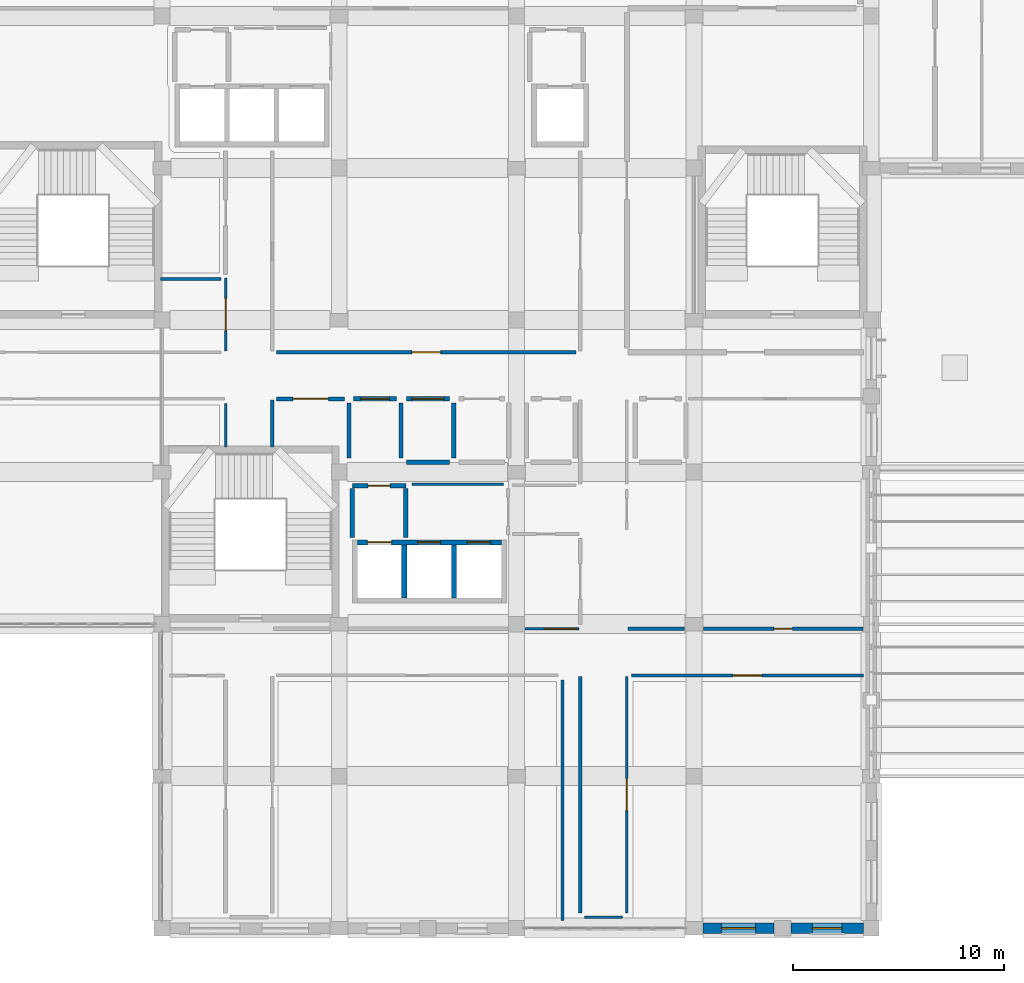
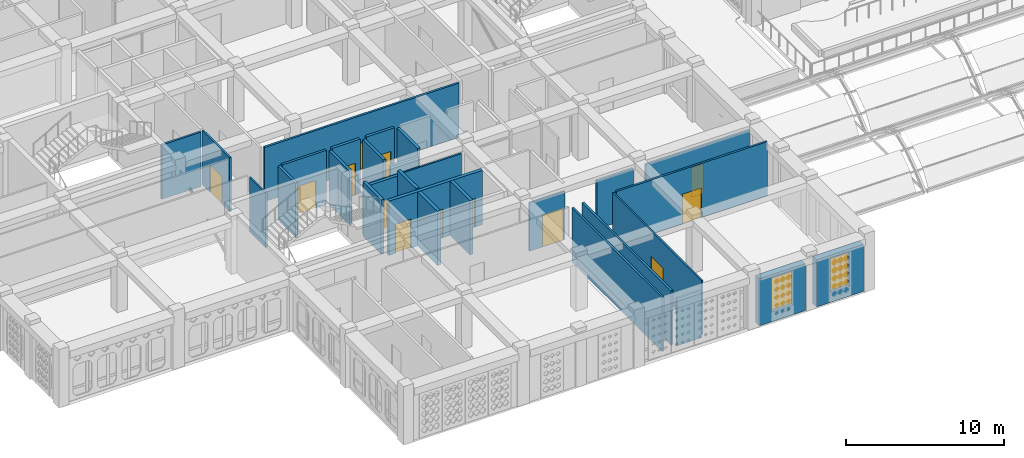
# One storey, part 53 of 100: 29 walls, 13 doors, 2 windows, 15 openings.
"""IFC4 building model written with IfcOpenShell, lengths in metres."""

from ifc_helpers import new_model, si_unit, derived_unit, direction, frame, frame_2d, origin, place, context, subcontext, project, spatial, rectangle, extrude, material, layer, layer_set, type_object, element, fill, save


model = new_model("IFC4")

# Units and contexts
model_context = context("Model", 3, precision=1e-05, world=origin(), true_north=direction((0.0, 1.0)))
body_context = subcontext(model_context, "Body", "Model", "MODEL_VIEW")
ifc_project = project(units=[si_unit("LENGTHUNIT", "METRE"), si_unit("AREAUNIT", "SQUARE_METRE"), si_unit("VOLUMEUNIT", "CUBIC_METRE"), si_unit("PLANEANGLEUNIT", "RADIAN"), si_unit("MASSUNIT", "GRAM", prefix="KILO"), derived_unit("THERMALTRANSMITTANCEUNIT", [(si_unit("POWERUNIT", "WATT"), 1), (si_unit("LENGTHUNIT", "METRE"), -2), (si_unit("THERMODYNAMICTEMPERATUREUNIT", "KELVIN"), -1)])], contexts=[model_context])

# Site, building, storey
site_placement = place(None, origin())
site = spatial("IfcSite", under=ifc_project, at=site_placement, CompositionType="ELEMENT")
building_placement = place(site_placement, origin())
building = spatial("IfcBuilding", under=site, at=building_placement, Name="Veybourne Emporium", CompositionType="ELEMENT")
storey_placement = place(building_placement, frame((0.0, 0.0, 14.39990234375)))
storey = spatial("IfcBuildingStorey", under=building, at=storey_placement, Name="L03", CompositionType="ELEMENT", Elevation=14.39990234375)

# Wall, opening, window
ifc_material_1 = material(Name="Portland Limestone Ashlar", Category="masonry")
ifc_layer_1 = layer(ifc_material_1, 0.47998046875)
ifc_layer_set_1 = layer_set([ifc_layer_1], Name="Portland Limestone Ashlar")
wall_type_1 = type_object("IfcWallType", Name="ExtWall_EW-01", PredefinedType="SOLIDWALL", material=ifc_layer_set_1)
wall_1_placement = place(storey_placement, frame((50.02490234375, 0.0, 0.0), z_axis=(0.0, 0.0, 1.0), x_axis=(-1.0, 0.0, 0.0)))
wall_1 = element("IfcWall", 1, at=wall_1_placement, inside=storey, type_object=wall_type_1, Name="L03 Portland stone external wall 025A", PredefinedType="SOLIDWALL", context=body_context, shape_type="SweptSolid", body=[
    extrude(rectangle(XDim=3.4248046875, YDim=0.47998046875, at=frame_2d((1.71240234375, 0.0))), origin(), (0.0, 0.0, 1.0), 3.630126953125),
])
opening_1_placement = place(wall_1_placement, frame((1.012451171875, 0.0, 0.75)))
opening_1 = element("IfcOpeningElement", 2, at=opening_1_placement, cuts=wall_1, Name="Opening W-34", PredefinedType="OPENING", context=body_context, shape_type="SweptSolid", body=[
    extrude(rectangle(XDim=1.39990234375, YDim=2.6201171875, at=frame_2d((0.699951171875, 1.31005859375))), frame((0.0, 0.260009765625, 0.0), z_axis=(0.0, -1.0, 0.0), x_axis=(1.0, 0.0, 0.0)), (0.0, 0.0, 1.0), 0.52001953125),
])
ifc_material_2 = material(Name="Low-E Triple Glazing", Category="glass")
window_type_1 = type_object("IfcWindowType", Name="Win_W-34", PartitioningType="DOUBLE_PANEL_VERTICAL", PredefinedType="WINDOW", material=ifc_material_2)
window_1_placement = place(opening_1_placement, origin())
window_1 = element("IfcWindow", 3, at=window_1_placement, inside=storey, type_object=window_type_1, Name="L03 tripartite bronze casement window W-34 (25A)", OverallHeight=2.6201171875, OverallWidth=1.39990234375, PartitioningType="DOUBLE_PANEL_VERTICAL", PredefinedType="WINDOW", context=body_context, shape_type="SweptSolid", body=[
    extrude(rectangle(XDim=1.39990234375, YDim=2.6201171875, at=frame_2d((0.699951171875, 1.31005859375))), frame((0.0, 0.030029296875, 0.0), z_axis=(0.0, -1.0, 0.0), x_axis=(1.0, 0.0, 0.0)), (0.0, 0.0, 1.0), 0.06005859375),
])
fill(opening_1, window_1)

wall_2_placement = place(storey_placement, frame((45.800048828125, 0.0, 0.0), z_axis=(0.0, 0.0, 1.0), x_axis=(-1.0, 0.0, 0.0)))
wall_2 = element("IfcWall", 4, at=wall_2_placement, inside=storey, type_object=wall_type_1, Name="L03 Portland stone external wall 025B", PredefinedType="SOLIDWALL", context=body_context, shape_type="SweptSolid", body=[
    extrude(rectangle(XDim=3.375, YDim=0.47998046875, at=frame_2d((1.6875, 0.0))), origin(), (0.0, 0.0, 1.0), 3.630126953125),
])
opening_2_placement = place(wall_2_placement, frame((0.887451171875, 0.0, 0.75)))
opening_2 = element("IfcOpeningElement", 5, at=opening_2_placement, cuts=wall_2, Name="Opening W-35", PredefinedType="OPENING", context=body_context, shape_type="SweptSolid", body=[
    extrude(rectangle(XDim=1.60009765625, YDim=2.6201171875, at=frame_2d((0.800048828125, 1.31005859375))), frame((0.0, 0.260009765625, 0.0), z_axis=(0.0, -1.0, 0.0), x_axis=(1.0, 0.0, 0.0)), (0.0, 0.0, 1.0), 0.52001953125),
])
window_type_2 = type_object("IfcWindowType", Name="Win_W-35", PartitioningType="DOUBLE_PANEL_VERTICAL", PredefinedType="WINDOW", material=ifc_material_2)
window_2_placement = place(opening_2_placement, origin())
window_2 = element("IfcWindow", 6, at=window_2_placement, inside=storey, type_object=window_type_2, Name="L03 tripartite bronze casement window W-35 (25B)", OverallHeight=2.6201171875, OverallWidth=1.60009765625, PartitioningType="DOUBLE_PANEL_VERTICAL", PredefinedType="WINDOW", context=body_context, shape_type="SweptSolid", body=[
    extrude(rectangle(XDim=1.60009765625, YDim=2.6201171875, at=frame_2d((0.800048828125, 1.31005859375))), frame((0.0, 0.030029296875, 0.0), z_axis=(0.0, -1.0, 0.0), x_axis=(1.0, 0.0, 0.0)), (0.0, 0.0, 1.0), 0.06005859375),
])
fill(opening_2, window_2)

# Wall, openings, doors
ifc_material_3 = material(Name="Concrete C40/50", Category="concrete")
ifc_layer_2 = layer(ifc_material_3, 0.239990234375)
ifc_layer_set_2 = layer_set([ifc_layer_2], Name="Concrete C40/50")
wall_type_2 = type_object("IfcWallType", Name="IntWall_CW-04", PredefinedType="SHEAR", material=ifc_layer_set_2)
wall_3_placement = place(storey_placement, frame((32.8798828125, 18.27001953125, 0.0), z_axis=(0.0, 0.0, 1.0), x_axis=(-1.0, 0.0, 0.0)))
wall_3 = element("IfcWall", 7, at=wall_3_placement, inside=storey, type_object=wall_type_2, Name="Lift core C1 north shaft wall (L03)", PredefinedType="SHEAR", context=body_context, shape_type="SweptSolid", body=[
    extrude(rectangle(XDim=6.81982421875, YDim=0.239990234375, at=frame_2d((3.409912109375, 0.0))), origin(), (0.0, 0.0, 1.0), 4.18017578125),
])
opening_3_placement = place(wall_3_placement, frame((5.195068359375, 0.0, 0.0)))
opening_3 = element("IfcOpeningElement", 8, at=opening_3_placement, cuts=wall_3, Name="Opening LD-02", PredefinedType="OPENING", context=body_context, shape_type="SweptSolid", body=[
    extrude(rectangle(XDim=1.14990234375, YDim=2.25, at=frame_2d((0.574951171875, 1.125))), frame((0.0, 0.14013671875, 0.0), z_axis=(0.0, -1.0, 0.0), x_axis=(1.0, 0.0, 0.0)), (0.0, 0.0, 1.0), 0.280029296875),
])
opening_4_placement = place(wall_3_placement, frame((2.8701171875, 0.0, 0.0)))
opening_4 = element("IfcOpeningElement", 9, at=opening_4_placement, cuts=wall_3, Name="Opening LD-01", PredefinedType="OPENING", context=body_context, shape_type="SweptSolid", body=[
    extrude(rectangle(XDim=1.10009765625, YDim=2.199951171875, at=frame_2d((0.550048828125, 1.10009765625))), frame((0.0, 0.14013671875, 0.0), z_axis=(0.0, -1.0, 0.0), x_axis=(1.0, 0.0, 0.0)), (0.0, 0.0, 1.0), 0.280029296875),
])
opening_5_placement = place(wall_3_placement, frame((0.510009765625, 0.0, 0.0)))
opening_5 = element("IfcOpeningElement", 10, at=opening_5_placement, cuts=wall_3, Name="Opening LD-01", PredefinedType="OPENING", context=body_context, shape_type="SweptSolid", body=[
    extrude(rectangle(XDim=1.10009765625, YDim=2.199951171875, at=frame_2d((0.550048828125, 1.10009765625))), frame((0.0, 0.14013671875, 0.0), z_axis=(0.0, -1.0, 0.0), x_axis=(1.0, 0.0, 0.0)), (0.0, 0.0, 1.0), 0.280029296875),
])
ifc_material_4 = material(Name="Patinated Architectural Bronze", Category="bronze")
door_type_1 = type_object("IfcDoorType", Name="FireDoor_LD-01", OperationType="DOUBLE_DOOR_SLIDING", PredefinedType="DOOR", material=ifc_material_4)
door_1_placement = place(opening_4_placement, origin())
door_1 = element("IfcDoor", 11, at=door_1_placement, inside=storey, type_object=door_type_1, Name="Lift PL-01 sliding landing door (L03)", OperationType="DOUBLE_DOOR_SLIDING", OverallHeight=2.199951171875, OverallWidth=1.10009765625, PredefinedType="DOOR", context=body_context, shape_type="SweptSolid", body=[
    extrude(rectangle(XDim=1.10009765625, YDim=2.199951171875, at=frame_2d((0.550048828125, 1.10009765625))), frame((0.0, 0.02490234375, 0.0), z_axis=(0.0, -1.0, 0.0), x_axis=(1.0, 0.0, 0.0)), (0.0, 0.0, 1.0), 0.050048828125),
])
fill(opening_4, door_1)
door_2_placement = place(opening_5_placement, origin())
door_2 = element("IfcDoor", 12, at=door_2_placement, inside=storey, type_object=door_type_1, Name="Lift PL-02 sliding landing door (L03)", OperationType="DOUBLE_DOOR_SLIDING", OverallHeight=2.199951171875, OverallWidth=1.10009765625, PredefinedType="DOOR", context=body_context, shape_type="SweptSolid", body=[
    extrude(rectangle(XDim=1.10009765625, YDim=2.199951171875, at=frame_2d((0.550048828125, 1.10009765625))), frame((0.0, 0.02490234375, 0.0), z_axis=(0.0, -1.0, 0.0), x_axis=(1.0, 0.0, 0.0)), (0.0, 0.0, 1.0), 0.050048828125),
])
fill(opening_5, door_2)
door_type_2 = type_object("IfcDoorType", Name="FireDoor_LD-02", OperationType="SLIDING_TO_LEFT", PredefinedType="DOOR", material=ifc_material_4)
door_3_placement = place(opening_3_placement, origin())
door_3 = element("IfcDoor", 13, at=door_3_placement, inside=storey, type_object=door_type_2, Name="Lift FFL-01 sliding landing door (L03)", OperationType="SLIDING_TO_LEFT", OverallHeight=2.25, OverallWidth=1.14990234375, PredefinedType="DOOR", context=body_context, shape_type="SweptSolid", body=[
    extrude(rectangle(XDim=1.14990234375, YDim=2.25, at=frame_2d((0.574951171875, 1.125))), frame((0.0, 0.02490234375, 0.0), z_axis=(0.0, -1.0, 0.0), x_axis=(1.0, 0.0, 0.0)), (0.0, 0.0, 1.0), 0.050048828125),
])
fill(opening_3, door_3)

# Walls
for number, where, z_axis, x_axis, name in (
    (14, (28.280029296875, 15.64990234375, 0.0), (0.0, 0.0, 1.0), (0.0, 1.0, 0.0), "Lift core C1 divider wall 1 (L03)"),
    (15, (30.639892578125, 15.64990234375, 0.0), (0.0, 0.0, 1.0), (0.0, 1.0, 0.0), "Lift core C1 divider wall 2 (L03)"),
):
    element("IfcWall", number, at=place(storey_placement, frame(where, z_axis=z_axis, x_axis=x_axis)), inside=storey, type_object=wall_type_2, Name=name, PredefinedType="SHEAR", context=body_context, shape_type="SweptSolid", body=[
        extrude(rectangle(XDim=2.5, YDim=0.239990234375, at=frame_2d((1.25, 0.0))), origin(), (0.0, 0.0, 1.0), 4.18017578125),
    ])

# Wall, opening, door
ifc_material_5 = material(Name="Concrete C32/40", Category="concrete")
ifc_layer_3 = layer(ifc_material_5, 0.219970703125)
ifc_layer_set_3 = layer_set([ifc_layer_3], Name="Concrete C32/40")
wall_type_3 = type_object("IfcWallType", Name="IntWall_FW-02", PredefinedType="SOLIDWALL", material=ifc_layer_set_3)
wall_4_placement = place(storey_placement, frame((25.820068359375, 20.949951171875, 0.0), z_axis=(0.0, 0.0, 1.0), x_axis=(1.0, 0.0, 0.0)))
wall_4 = element("IfcWall", 16, at=wall_4_placement, inside=storey, type_object=wall_type_3, Name="Firefighting lobby C1 fire wall N (L03)", PredefinedType="SOLIDWALL", context=body_context, shape_type="SweptSolid", body=[
    extrude(rectangle(XDim=2.5400390625, YDim=0.219970703125, at=frame_2d((1.27001953125, 0.0))), origin(), (0.0, 0.0, 1.0), 3.72998046875),
])
opening_6_placement = place(wall_4_placement, frame((0.7451171875, 0.0, 0.0)))
opening_6 = element("IfcOpeningElement", 17, at=opening_6_placement, cuts=wall_4, Name="Opening FD-02", PredefinedType="OPENING", context=body_context, shape_type="SweptSolid", body=[
    extrude(rectangle(XDim=1.050048828125, YDim=2.14990234375, at=frame_2d((0.52490234375, 1.074951171875))), frame((0.0, 0.1298828125, 0.0), z_axis=(0.0, -1.0, 0.0), x_axis=(1.0, 0.0, 0.0)), (0.0, 0.0, 1.0), 0.260009765625),
])
door_type_3 = type_object("IfcDoorType", Name="FireDoor_FD-02", OperationType="NOTDEFINED", PredefinedType="DOOR", material=ifc_material_4)
door_4_placement = place(opening_6_placement, origin())
door_4 = element("IfcDoor", 18, at=door_4_placement, inside=storey, type_object=door_type_3, Name="Firefighting lobby C1 FD60S door N (L03)", OperationType="SINGLE_SWING_LEFT", OverallHeight=2.14990234375, OverallWidth=1.050048828125, PredefinedType="DOOR", context=body_context, shape_type="SweptSolid", body=[
    extrude(rectangle(XDim=1.050048828125, YDim=2.14990234375, at=frame_2d((0.52490234375, 1.074951171875))), frame((0.0, 0.02490234375, 0.0), z_axis=(0.0, -1.0, 0.0), x_axis=(1.0, 0.0, 0.0)), (0.0, 0.0, 1.0), 0.050048828125),
])
fill(opening_6, door_4)

# Walls
for number, where, z_axis, x_axis, name in (
    (19, (25.820068359375, 18.510009765625, 0.0), (0.0, 0.0, 1.0), (0.0, 1.0, 0.0), "Firefighting lobby C1 fire wall W (L03)"),
    (20, (28.360107421875, 18.510009765625, 0.0), (0.0, 0.0, 1.0), (0.0, 1.0, 0.0), "Firefighting lobby C1 fire wall E (L03)"),
):
    element("IfcWall", number, at=place(storey_placement, frame(where, z_axis=z_axis, x_axis=x_axis)), inside=storey, type_object=wall_type_3, Name=name, PredefinedType="SOLIDWALL", context=body_context, shape_type="SweptSolid", body=[
        extrude(rectangle(XDim=2.320068359375, YDim=0.219970703125, at=frame_2d((1.16015625, 0.0))), origin(), (0.0, 0.0, 1.0), 4.18017578125),
    ])
ifc_material_6 = material(Name="Gypsum Acoustic Board", Category="gypsum")
ifc_layer_4 = layer(ifc_material_6, 0.179931640625)
ifc_layer_set_4 = layer_set([ifc_layer_4], Name="Gypsum Acoustic Board")
wall_type_4 = type_object("IfcWallType", Name="IntWall_IW-01", PredefinedType="PARTITIONING", material=ifc_layer_set_4)
wall_5_placement = place(storey_placement, frame((38.8798828125, 14.179931640625, 0.0), z_axis=(0.0, 0.0, 1.0), x_axis=(1.0, 0.0, 0.0)))
element("IfcWall", 21, at=wall_5_placement, inside=storey, type_object=wall_type_4, Name="L03 interior partition IW-01 #044", PredefinedType="PARTITIONING", context=body_context, shape_type="SweptSolid", body=[
    extrude(rectangle(XDim=2.675048828125, YDim=0.179931640625, at=frame_2d((1.33740234375, 0.0))), origin(), (0.0, 0.0, 1.0), 3.72998046875),
])

# Wall, opening, door
wall_6_placement = place(storey_placement, frame((22.239990234375, 25.070068359375, 0.0), z_axis=(0.0, 0.0, 1.0), x_axis=(1.0, 0.0, 0.0)))
wall_6 = element("IfcWall", 22, at=wall_6_placement, inside=storey, type_object=wall_type_4, Name="L03 interior partition IW-01 #074", PredefinedType="PARTITIONING", context=body_context, shape_type="SweptSolid", body=[
    extrude(rectangle(XDim=3.219970703125, YDim=0.179931640625, at=frame_2d((1.60986328125, 0.0))), origin(), (0.0, 0.0, 1.0), 4.18017578125),
])
opening_7_placement = place(wall_6_placement, frame((0.77001953125, 0.0, 0.0)))
opening_7 = element("IfcOpeningElement", 23, at=opening_7_placement, cuts=wall_6, Name="Opening D-12", PredefinedType="OPENING", context=body_context, shape_type="SweptSolid", body=[
    extrude(rectangle(XDim=1.679931640625, YDim=2.1298828125, at=frame_2d((0.83984375, 1.06494140625))), frame((0.0, 0.10986328125, 0.0), z_axis=(0.0, -1.0, 0.0), x_axis=(1.0, 0.0, 0.0)), (0.0, 0.0, 1.0), 0.219970703125),
])
ifc_material_7 = material(Name="European Oak Veneer and Bronze", Category="wood")
door_type_4 = type_object("IfcDoorType", Name="IntDoor_D-12", OperationType="DOUBLE_DOOR_SINGLE_SWING", PredefinedType="DOOR", material=ifc_material_7)
door_5_placement = place(opening_7_placement, origin())
door_5 = element("IfcDoor", 24, at=door_5_placement, inside=storey, type_object=door_type_4, Name="L03 interior door D-12 (PART-L03-074)", OperationType="DOUBLE_DOOR_SINGLE_SWING", OverallHeight=2.1298828125, OverallWidth=1.679931640625, PredefinedType="DOOR", context=body_context, shape_type="SweptSolid", body=[
    extrude(rectangle(XDim=1.679931640625, YDim=2.1298828125, at=frame_2d((0.83984375, 1.06494140625))), frame((0.0, 0.02490234375, 0.0), z_axis=(0.0, -1.0, 0.0), x_axis=(1.0, 0.0, 0.0)), (0.0, 0.0, 1.0), 0.050048828125),
])
fill(opening_7, door_5)

# Wall
wall_7_placement = place(storey_placement, frame((22.030029296875, 22.7900390625, 0.0), z_axis=(0.0, 0.0, 1.0), x_axis=(0.0, 1.0, 0.0)))
element("IfcWall", 25, at=wall_7_placement, inside=storey, type_object=wall_type_4, Name="L03 interior partition IW-01 #089", PredefinedType="PARTITIONING", context=body_context, shape_type="SweptSolid", body=[
    extrude(rectangle(XDim=2.22998046875, YDim=0.179931640625, at=frame_2d((1.114990234375, 0.0))), origin(), (0.0, 0.0, 1.0), 4.18017578125),
])

# Wall, opening, door
ifc_layer_5 = layer(ifc_material_6, 0.14990234375)
ifc_layer_set_5 = layer_set([ifc_layer_5], Name="Gypsum Acoustic Board")
wall_type_5 = type_object("IfcWallType", Name="IntWall_IW-02", PredefinedType="PARTITIONING", material=ifc_layer_set_5)
wall_8_placement = place(storey_placement, frame((22.239990234375, 27.280029296875, 0.0), z_axis=(0.0, 0.0, 1.0), x_axis=(1.0, 0.0, 0.0)))
wall_8 = element("IfcWall", 26, at=wall_8_placement, inside=storey, type_object=wall_type_5, Name="L03 interior partition IW-02 #030", PredefinedType="PARTITIONING", context=body_context, shape_type="SweptSolid", body=[
    extrude(rectangle(XDim=14.169921875, YDim=0.14990234375, at=frame_2d((7.0849609375, 0.0))), origin(), (0.0, 0.0, 1.0), 4.18017578125),
])
opening_8_placement = place(wall_8_placement, frame((6.405029296875, 0.0, 0.0)))
opening_8 = element("IfcOpeningElement", 27, at=opening_8_placement, cuts=wall_8, Name="Opening D-04", PredefinedType="OPENING", context=body_context, shape_type="SweptSolid", body=[
    extrude(rectangle(XDim=1.360107421875, YDim=2.050048828125, at=frame_2d((0.68017578125, 1.02490234375))), frame((0.0, 0.094970703125, 0.0), z_axis=(0.0, -1.0, 0.0), x_axis=(1.0, 0.0, 0.0)), (0.0, 0.0, 1.0), 0.18994140625),
])
door_type_5 = type_object("IfcDoorType", Name="IntDoor_D-04", OperationType="NOTDEFINED", PredefinedType="DOOR", material=ifc_material_7)
door_6_placement = place(opening_8_placement, origin())
door_6 = element("IfcDoor", 28, at=door_6_placement, inside=storey, type_object=door_type_5, Name="L03 interior door D-04 (PART-L03-030)", OperationType="SINGLE_SWING_RIGHT", OverallHeight=2.050048828125, OverallWidth=1.360107421875, PredefinedType="DOOR", context=body_context, shape_type="SweptSolid", body=[
    extrude(rectangle(XDim=1.360107421875, YDim=2.050048828125, at=frame_2d((0.68017578125, 1.02490234375))), frame((0.0, 0.02490234375, 0.0), z_axis=(0.0, -1.0, 0.0), x_axis=(1.0, 0.0, 0.0)), (0.0, 0.0, 1.0), 0.050048828125),
])
fill(opening_8, door_6)

# Wall
wall_9_placement = place(storey_placement, frame((36.6201171875, 0.72998046875, 0.0), z_axis=(0.0, 0.0, 1.0), x_axis=(0.0, 1.0, 0.0)))
element("IfcWall", 29, at=wall_9_placement, inside=storey, type_object=wall_type_5, Name="L03 interior partition IW-02 #042", PredefinedType="PARTITIONING", context=body_context, shape_type="SweptSolid", body=[
    extrude(rectangle(XDim=11.18994140625, YDim=0.14990234375, at=frame_2d((5.594970703125, 0.0))), origin(), (0.0, 0.0, 1.0), 4.18017578125),
])

# Wall, opening, door
wall_10_placement = place(storey_placement, frame((42.445068359375, 14.179931640625, 0.0), z_axis=(0.0, 0.0, 1.0), x_axis=(1.0, 0.0, 0.0)))
wall_10 = element("IfcWall", 30, at=wall_10_placement, inside=storey, type_object=wall_type_5, Name="L03 interior partition IW-02 #045", PredefinedType="PARTITIONING", context=body_context, shape_type="SweptSolid", body=[
    extrude(rectangle(XDim=7.559814453125, YDim=0.14990234375, at=frame_2d((3.77978515625, 0.0))), origin(), (0.0, 0.0, 1.0), 3.72998046875),
])
opening_9_placement = place(wall_10_placement, frame((3.340087890625, 0.0, 0.0)))
opening_9 = element("IfcOpeningElement", 31, at=opening_9_placement, cuts=wall_10, Name="Opening D-19", PredefinedType="OPENING", context=body_context, shape_type="SweptSolid", body=[
    extrude(rectangle(XDim=0.8798828125, YDim=2.2900390625, at=frame_2d((0.43994140625, 1.14501953125))), frame((0.0, 0.094970703125, 0.0), z_axis=(0.0, -1.0, 0.0), x_axis=(1.0, 0.0, 0.0)), (0.0, 0.0, 1.0), 0.18994140625),
])
door_type_6 = type_object("IfcDoorType", Name="IntDoor_D-19", OperationType="NOTDEFINED", PredefinedType="DOOR", material=ifc_material_7)
door_7_placement = place(opening_9_placement, origin())
door_7 = element("IfcDoor", 32, at=door_7_placement, inside=storey, type_object=door_type_6, Name="L03 interior door D-19 (PART-L03-045)", OperationType="SINGLE_SWING_LEFT", OverallHeight=2.2900390625, OverallWidth=0.8798828125, PredefinedType="DOOR", context=body_context, shape_type="SweptSolid", body=[
    extrude(rectangle(XDim=0.8798828125, YDim=2.2900390625, at=frame_2d((0.43994140625, 1.14501953125))), frame((0.0, 0.02490234375, 0.0), z_axis=(0.0, -1.0, 0.0), x_axis=(1.0, 0.0, 0.0)), (0.0, 0.0, 1.0), 0.050048828125),
])
fill(opening_9, door_7)

wall_11_placement = place(storey_placement, frame((39.0400390625, 11.969970703125, 0.0), z_axis=(0.0, 0.0, 1.0), x_axis=(1.0, 0.0, 0.0)))
wall_11 = element("IfcWall", 33, at=wall_11_placement, inside=storey, type_object=wall_type_5, Name="L03 interior partition IW-02 #048", PredefinedType="PARTITIONING", context=body_context, shape_type="SweptSolid", body=[
    extrude(rectangle(XDim=10.989990234375, YDim=0.14990234375, at=frame_2d((5.4951171875, 0.0))), origin(), (0.0, 0.0, 1.0), 4.18017578125),
])
opening_10_placement = place(wall_11_placement, frame((4.81494140625, 0.0, 0.0)))
opening_10 = element("IfcOpeningElement", 34, at=opening_10_placement, cuts=wall_11, Name="Opening D-22", PredefinedType="OPENING", context=body_context, shape_type="SweptSolid", body=[
    extrude(rectangle(XDim=1.360107421875, YDim=2.2900390625, at=frame_2d((0.68017578125, 1.14501953125))), frame((0.0, 0.094970703125, 0.0), z_axis=(0.0, -1.0, 0.0), x_axis=(1.0, 0.0, 0.0)), (0.0, 0.0, 1.0), 0.18994140625),
])
door_type_7 = type_object("IfcDoorType", Name="IntDoor_D-22", OperationType="NOTDEFINED", PredefinedType="DOOR", material=ifc_material_7)
door_8_placement = place(opening_10_placement, origin())
door_8 = element("IfcDoor", 35, at=door_8_placement, inside=storey, type_object=door_type_7, Name="L03 interior door D-22 (PART-L03-048)", OperationType="SINGLE_SWING_LEFT", OverallHeight=2.2900390625, OverallWidth=1.360107421875, PredefinedType="DOOR", context=body_context, shape_type="SweptSolid", body=[
    extrude(rectangle(XDim=1.360107421875, YDim=2.2900390625, at=frame_2d((0.68017578125, 1.14501953125))), frame((0.0, 0.02490234375, 0.0), z_axis=(0.0, -1.0, 0.0), x_axis=(1.0, 0.0, 0.0)), (0.0, 0.0, 1.0), 0.050048828125),
])
fill(opening_10, door_8)

# Walls
wall_12_placement = place(storey_placement, frame((35.780029296875, 0.3701171875, 0.0), z_axis=(0.0, 0.0, 1.0), x_axis=(0.0, 1.0, 0.0)))
element("IfcWall", 36, at=wall_12_placement, inside=storey, type_object=wall_type_5, Name="L03 interior partition IW-02 #129", PredefinedType="PARTITIONING", context=body_context, shape_type="SweptSolid", body=[
    extrude(rectangle(XDim=11.389892578125, YDim=0.14990234375, at=frame_2d((5.69482421875, 0.0))), origin(), (0.0, 0.0, 1.0), 4.18017578125),
])
wall_13_placement = place(storey_placement, frame((16.739990234375, 30.75, 0.0), z_axis=(0.0, 0.0, 1.0), x_axis=(1.0, 0.0, 0.0)))
element("IfcWall", 37, at=wall_13_placement, inside=storey, type_object=wall_type_5, Name="L03 interior partition IW-02 #141", PredefinedType="PARTITIONING", context=body_context, shape_type="SweptSolid", body=[
    extrude(rectangle(XDim=2.8701171875, YDim=0.14990234375, at=frame_2d((1.43505859375, 0.0))), origin(), (0.0, 0.0, 1.0), 4.18017578125),
])

# Wall, opening, door
ifc_layer_6 = layer(ifc_material_6, 0.1201171875)
ifc_layer_set_6 = layer_set([ifc_layer_6], Name="Gypsum Acoustic Board")
wall_type_6 = type_object("IfcWallType", Name="IntWall_IW-03", PredefinedType="PARTITIONING", material=ifc_layer_set_6)
wall_14_placement = place(storey_placement, frame((33.9951171875, 14.179931640625, 0.0), z_axis=(0.0, 0.0, 1.0), x_axis=(1.0, 0.0, 0.0)))
wall_14 = element("IfcWall", 38, at=wall_14_placement, inside=storey, type_object=wall_type_6, Name="L03 interior partition IW-03 #025", PredefinedType="PARTITIONING", context=body_context, shape_type="SweptSolid", body=[
    extrude(rectangle(XDim=2.574951171875, YDim=0.1201171875, at=frame_2d((1.28759765625, 0.0))), origin(), (0.0, 0.0, 1.0), 3.72998046875),
])
opening_11_placement = place(wall_14_placement, frame((0.928466796875, 0.0, 0.0)))
opening_11 = element("IfcOpeningElement", 39, at=opening_11_placement, cuts=wall_14, Name="Opening D-35", PredefinedType="OPENING", context=body_context, shape_type="SweptSolid", body=[
    extrude(rectangle(XDim=1.52001953125, YDim=2.449951171875, at=frame_2d((0.760009765625, 1.22509765625))), frame((0.0, 0.080078125, 0.0), z_axis=(0.0, -1.0, 0.0), x_axis=(1.0, 0.0, 0.0)), (0.0, 0.0, 1.0), 0.16015625),
])
door_type_8 = type_object("IfcDoorType", Name="IntDoor_D-35", OperationType="NOTDEFINED", PredefinedType="DOOR", material=ifc_material_7)
door_9_placement = place(opening_11_placement, origin())
door_9 = element("IfcDoor", 40, at=door_9_placement, inside=storey, type_object=door_type_8, Name="L03 interior door D-35 (PART-L03-025)", OperationType="SINGLE_SWING_RIGHT", OverallHeight=2.449951171875, OverallWidth=1.52001953125, PredefinedType="DOOR", context=body_context, shape_type="SweptSolid", body=[
    extrude(rectangle(XDim=1.52001953125, YDim=2.449951171875, at=frame_2d((0.760009765625, 1.22509765625))), frame((0.0, 0.02490234375, 0.0), z_axis=(0.0, -1.0, 0.0), x_axis=(1.0, 0.0, 0.0)), (0.0, 0.0, 1.0), 0.050048828125),
])
fill(opening_11, door_9)

wall_15_placement = place(storey_placement, frame((38.830078125, 0.72998046875, 0.0), z_axis=(0.0, 0.0, 1.0), x_axis=(0.0, 1.0, 0.0)))
wall_15 = element("IfcWall", 41, at=wall_15_placement, inside=storey, type_object=wall_type_6, Name="L03 interior partition IW-03 #043", PredefinedType="PARTITIONING", context=body_context, shape_type="SweptSolid", body=[
    extrude(rectangle(XDim=11.18994140625, YDim=0.1201171875, at=frame_2d((5.594970703125, 0.0))), origin(), (0.0, 0.0, 1.0), 4.18017578125),
])
opening_12_placement = place(wall_15_placement, frame((4.8349609375, 0.0, 0.0)))
opening_12 = element("IfcOpeningElement", 42, at=opening_12_placement, cuts=wall_15, Name="Opening D-17", PredefinedType="OPENING", context=body_context, shape_type="SweptSolid", body=[
    extrude(rectangle(XDim=1.52001953125, YDim=2.2099609375, at=frame_2d((0.760009765625, 1.10498046875))), frame((0.0, 0.080078125, 0.0), z_axis=(0.0, -1.0, 0.0), x_axis=(1.0, 0.0, 0.0)), (0.0, 0.0, 1.0), 0.16015625),
])
door_type_9 = type_object("IfcDoorType", Name="IntDoor_D-17", OperationType="NOTDEFINED", PredefinedType="DOOR", material=ifc_material_7)
door_10_placement = place(opening_12_placement, origin())
door_10 = element("IfcDoor", 43, at=door_10_placement, inside=storey, type_object=door_type_9, Name="L03 interior door D-17 (PART-L03-043)", OperationType="SINGLE_SWING_RIGHT", OverallHeight=2.2099609375, OverallWidth=1.52001953125, PredefinedType="DOOR", context=body_context, shape_type="SweptSolid", body=[
    extrude(rectangle(XDim=1.52001953125, YDim=2.2099609375, at=frame_2d((0.760009765625, 1.10498046875))), frame((0.0, 0.02490234375, 0.0), z_axis=(0.0, -1.0, 0.0), x_axis=(1.0, 0.0, 0.0)), (0.0, 0.0, 1.0), 0.050048828125),
])
fill(opening_12, door_10)

# Wall
wall_16_placement = place(storey_placement, frame((28.64990234375, 21.030029296875, 0.0), z_axis=(0.0, 0.0, 1.0), x_axis=(1.0, 0.0, 0.0)))
element("IfcWall", 44, at=wall_16_placement, inside=storey, type_object=wall_type_6, Name="L03 interior partition IW-03 #067", PredefinedType="PARTITIONING", context=body_context, shape_type="SweptSolid", body=[
    extrude(rectangle(XDim=4.340087890625, YDim=0.1201171875, at=frame_2d((2.169921875, 0.0))), origin(), (0.0, 0.0, 1.0), 3.72998046875),
])

# Wall, opening, door
wall_17_placement = place(storey_placement, frame((19.820068359375, 27.330078125, 0.0), z_axis=(0.0, 0.0, 1.0), x_axis=(0.0, 1.0, 0.0)))
wall_17 = element("IfcWall", 45, at=wall_17_placement, inside=storey, type_object=wall_type_6, Name="L03 interior partition IW-03 #073", PredefinedType="PARTITIONING", context=body_context, shape_type="SweptSolid", body=[
    extrude(rectangle(XDim=3.469970703125, YDim=0.1201171875, at=frame_2d((1.73486328125, 0.0))), origin(), (0.0, 0.0, 1.0), 4.18017578125),
])
opening_13_placement = place(wall_17_placement, frame((0.97509765625, 0.0, 0.0)))
opening_13 = element("IfcOpeningElement", 46, at=opening_13_placement, cuts=wall_17, Name="Opening D-11", PredefinedType="OPENING", context=body_context, shape_type="SweptSolid", body=[
    extrude(rectangle(XDim=1.52001953125, YDim=2.1298828125, at=frame_2d((0.760009765625, 1.06494140625))), frame((0.0, 0.080078125, 0.0), z_axis=(0.0, -1.0, 0.0), x_axis=(1.0, 0.0, 0.0)), (0.0, 0.0, 1.0), 0.16015625),
])
door_type_10 = type_object("IfcDoorType", Name="IntDoor_D-11", OperationType="NOTDEFINED", PredefinedType="DOOR", material=ifc_material_7)
door_11_placement = place(opening_13_placement, origin())
door_11 = element("IfcDoor", 47, at=door_11_placement, inside=storey, type_object=door_type_10, Name="L03 interior door D-11 (PART-L03-073)", OperationType="SINGLE_SWING_LEFT", OverallHeight=2.1298828125, OverallWidth=1.52001953125, PredefinedType="DOOR", context=body_context, shape_type="SweptSolid", body=[
    extrude(rectangle(XDim=1.52001953125, YDim=2.1298828125, at=frame_2d((0.760009765625, 1.06494140625))), frame((0.0, 0.02490234375, 0.0), z_axis=(0.0, -1.0, 0.0), x_axis=(1.0, 0.0, 0.0)), (0.0, 0.0, 1.0), 0.050048828125),
])
fill(opening_13, door_11)

# Walls
wall_18_placement = place(storey_placement, frame((19.820068359375, 22.7900390625, 0.0), z_axis=(0.0, 0.0, 1.0), x_axis=(0.0, 1.0, 0.0)))
element("IfcWall", 48, at=wall_18_placement, inside=storey, type_object=wall_type_6, Name="L03 interior partition IW-03 #094", PredefinedType="PARTITIONING", context=body_context, shape_type="SweptSolid", body=[
    extrude(rectangle(XDim=2.070068359375, YDim=0.1201171875, at=frame_2d((1.03515625, 0.0))), origin(), (0.0, 0.0, 1.0), 4.18017578125),
])
wall_19_placement = place(storey_placement, frame((36.830078125, 0.52001953125, 0.0), z_axis=(0.0, 0.0, 1.0), x_axis=(1.0, 0.0, 0.0)))
element("IfcWall", 49, at=wall_19_placement, inside=storey, type_object=wall_type_6, Name="L03 interior partition IW-03 #115", PredefinedType="PARTITIONING", context=body_context, shape_type="SweptSolid", body=[
    extrude(rectangle(XDim=1.7900390625, YDim=0.1201171875, at=frame_2d((0.89501953125, 0.0))), origin(), (0.0, 0.0, 1.0), 3.630126953125),
])

# Wall, opening, door
ifc_layer_7 = layer(ifc_material_6, 0.199951171875)
ifc_layer_set_7 = layer_set([ifc_layer_7], Name="Gypsum Acoustic Board")
wall_type_7 = type_object("IfcWallType", Name="IntWall_IW-04", PredefinedType="PLUMBINGWALL", material=ifc_layer_set_7)
wall_20_placement = place(storey_placement, frame((25.8798828125, 25.080078125, 0.0), z_axis=(0.0, 0.0, 1.0), x_axis=(1.0, 0.0, 0.0)))
wall_20 = element("IfcWall", 50, at=wall_20_placement, inside=storey, type_object=wall_type_7, Name="L03 interior partition IW-04 #096", PredefinedType="PLUMBINGWALL", context=body_context, shape_type="SweptSolid", body=[
    extrude(rectangle(XDim=2.0400390625, YDim=0.199951171875, at=frame_2d((1.02001953125, 0.0))), origin(), (0.0, 0.0, 1.0), 4.18017578125),
])
opening_14_placement = place(wall_20_placement, frame((0.340087890625, 0.0, 0.0)))
opening_14 = element("IfcOpeningElement", 51, at=opening_14_placement, cuts=wall_20, Name="Opening D-34", PredefinedType="OPENING", context=body_context, shape_type="SweptSolid", body=[
    extrude(rectangle(XDim=1.360107421875, YDim=2.449951171875, at=frame_2d((0.68017578125, 1.22509765625))), frame((0.0, 0.1201171875, 0.0), z_axis=(0.0, -1.0, 0.0), x_axis=(1.0, 0.0, 0.0)), (0.0, 0.0, 1.0), 0.239990234375),
])
door_type_11 = type_object("IfcDoorType", Name="IntDoor_D-34", OperationType="NOTDEFINED", PredefinedType="DOOR", material=ifc_material_7)
door_12_placement = place(opening_14_placement, origin())
door_12 = element("IfcDoor", 52, at=door_12_placement, inside=storey, type_object=door_type_11, Name="L03 interior door D-34 (PART-L03-096)", OperationType="SINGLE_SWING_RIGHT", OverallHeight=2.449951171875, OverallWidth=1.360107421875, PredefinedType="DOOR", context=body_context, shape_type="SweptSolid", body=[
    extrude(rectangle(XDim=1.360107421875, YDim=2.449951171875, at=frame_2d((0.68017578125, 1.22509765625))), frame((0.0, 0.02490234375, 0.0), z_axis=(0.0, -1.0, 0.0), x_axis=(1.0, 0.0, 0.0)), (0.0, 0.0, 1.0), 0.050048828125),
])
fill(opening_14, door_12)

wall_21_placement = place(storey_placement, frame((28.3798828125, 25.080078125, 0.0), z_axis=(0.0, 0.0, 1.0), x_axis=(1.0, 0.0, 0.0)))
wall_21 = element("IfcWall", 53, at=wall_21_placement, inside=storey, type_object=wall_type_7, Name="L03 interior partition IW-04 #097", PredefinedType="PLUMBINGWALL", context=body_context, shape_type="SweptSolid", body=[
    extrude(rectangle(XDim=2.0400390625, YDim=0.199951171875, at=frame_2d((1.02001953125, 0.0))), origin(), (0.0, 0.0, 1.0), 4.18017578125),
])
opening_15_placement = place(wall_21_placement, frame((0.260009765625, 0.0, 0.0)))
opening_15 = element("IfcOpeningElement", 54, at=opening_15_placement, cuts=wall_21, Name="Opening D-35", PredefinedType="OPENING", context=body_context, shape_type="SweptSolid", body=[
    extrude(rectangle(XDim=1.52001953125, YDim=2.449951171875, at=frame_2d((0.760009765625, 1.22509765625))), frame((0.0, 0.1201171875, 0.0), z_axis=(0.0, -1.0, 0.0), x_axis=(1.0, 0.0, 0.0)), (0.0, 0.0, 1.0), 0.239990234375),
])
door_13_placement = place(opening_15_placement, origin())
door_13 = element("IfcDoor", 55, at=door_13_placement, inside=storey, type_object=door_type_8, Name="L03 interior door D-35 (PART-L03-097)", OperationType="SINGLE_SWING_LEFT", OverallHeight=2.449951171875, OverallWidth=1.52001953125, PredefinedType="DOOR", context=body_context, shape_type="SweptSolid", body=[
    extrude(rectangle(XDim=1.52001953125, YDim=2.449951171875, at=frame_2d((0.760009765625, 1.22509765625))), frame((0.0, 0.02490234375, 0.0), z_axis=(0.0, -1.0, 0.0), x_axis=(1.0, 0.0, 0.0)), (0.0, 0.0, 1.0), 0.050048828125),
])
fill(opening_15, door_13)

# Walls
for number, where, z_axis, x_axis, name in (
    (56, (28.1298828125, 22.280029296875, 0.0), (0.0, 0.0, 1.0), (0.0, 1.0, 0.0), "L03 interior partition IW-04 #144"),
    (57, (25.669921875, 22.280029296875, 0.0), (0.0, 0.0, 1.0), (0.0, 1.0, 0.0), "L03 interior partition IW-04 #145"),
    (58, (30.6298828125, 22.280029296875, 0.0), (0.0, 0.0, 1.0), (0.0, 1.0, 0.0), "L03 interior partition IW-04 #146"),
):
    element("IfcWall", number, at=place(storey_placement, frame(where, z_axis=z_axis, x_axis=x_axis)), inside=storey, type_object=wall_type_7, Name=name, PredefinedType="PLUMBINGWALL", context=body_context, shape_type="SweptSolid", body=[
        extrude(rectangle(XDim=2.590087890625, YDim=0.199951171875, at=frame_2d((1.294921875, 0.0))), origin(), (0.0, 0.0, 1.0), 4.18017578125),
    ])
wall_22_placement = place(storey_placement, frame((28.3798828125, 22.070068359375, 0.0), z_axis=(0.0, 0.0, 1.0), x_axis=(1.0, 0.0, 0.0)))
element("IfcWall", 59, at=wall_22_placement, inside=storey, type_object=wall_type_7, Name="L03 interior partition IW-04 #153", PredefinedType="PLUMBINGWALL", context=body_context, shape_type="SweptSolid", body=[
    extrude(rectangle(XDim=2.0400390625, YDim=0.199951171875, at=frame_2d((1.02001953125, 0.0))), origin(), (0.0, 0.0, 1.0), 3.72998046875),
])

save(model, "model.ifc")
